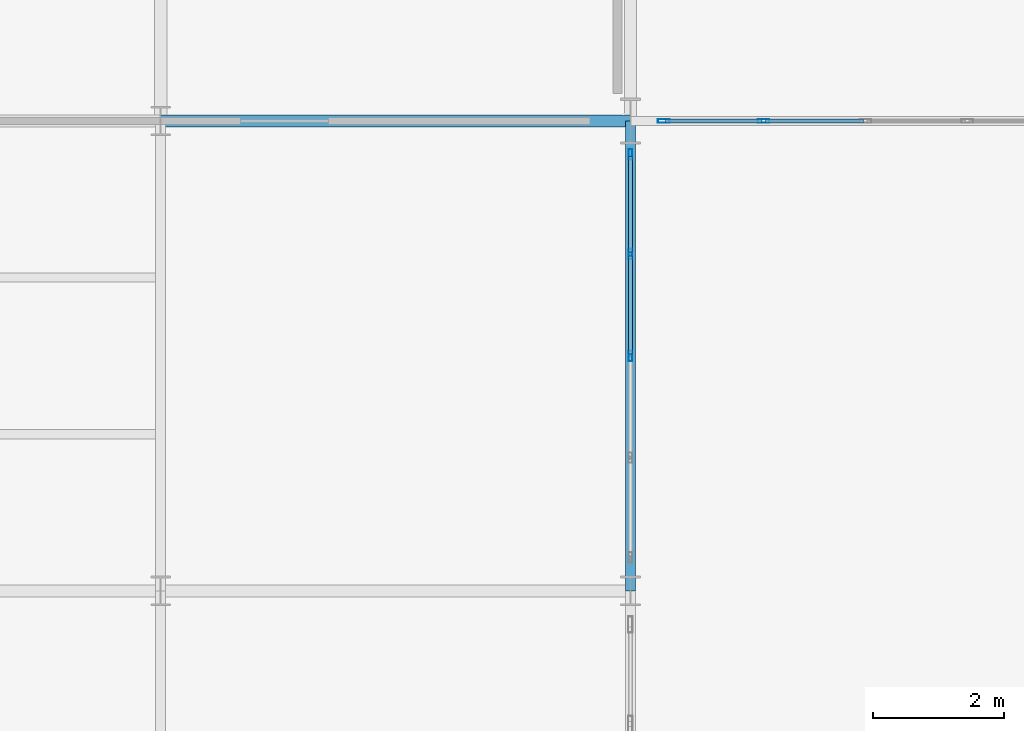
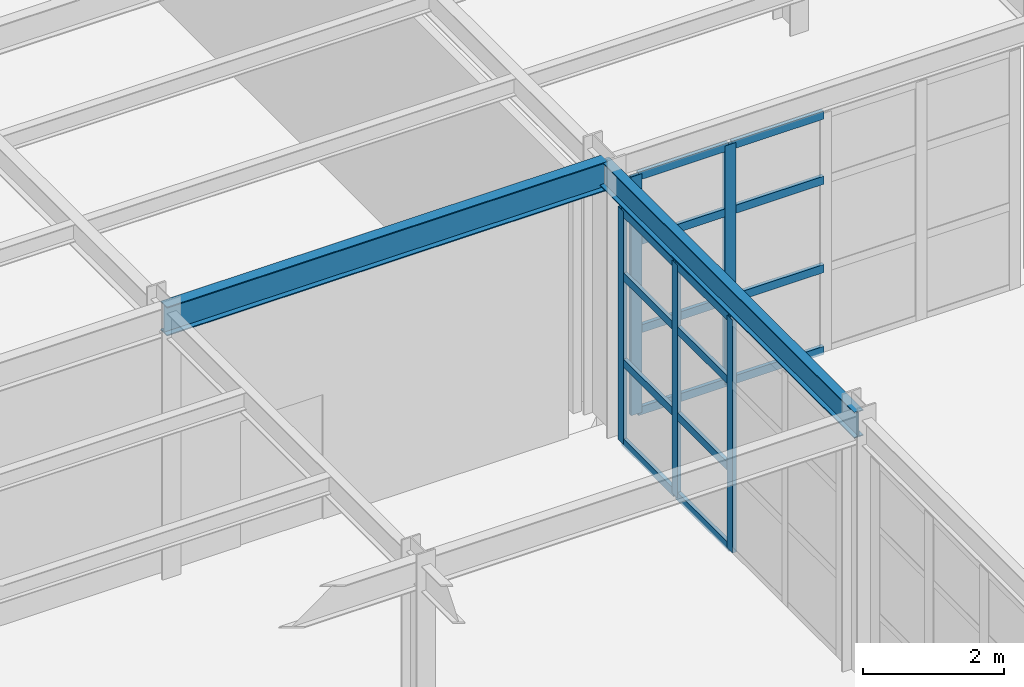
# One storey, part 23 of 83: 21 members, 2 beams, 2 elements without a shape of their own.
"""IFC4 building model written with IfcOpenShell, lengths in metres."""

from ifc_helpers import new_model, si_unit, direction, frame, origin, origin_2d, place, context, subcontext, project, spatial, hollow_rectangle, i_section, extrude, material, layer, layer_set, material_profile, profile_set, type_object, element, aggregate, save


model = new_model("IFC4")

# Units and contexts
model_context = context("Model", 3, precision=1e-05, world=origin(), true_north=direction((0.0, 1.0)))
body_context = subcontext(model_context, "Body", "Model", "MODEL_VIEW")
ifc_project = project(units=[si_unit("LENGTHUNIT", "METRE"), si_unit("AREAUNIT", "SQUARE_METRE"), si_unit("VOLUMEUNIT", "CUBIC_METRE"), si_unit("PLANEANGLEUNIT", "RADIAN"), si_unit("MASSUNIT", "GRAM", prefix="KILO")], contexts=[model_context])

# Site, building, storey
site_placement = place(None, origin())
site = spatial("IfcSite", under=ifc_project, at=site_placement, CompositionType="ELEMENT")
building_placement = place(site_placement, origin())
building = spatial("IfcBuilding", under=site, at=building_placement, Name="Solvadek Multi-Sports Hall", CompositionType="ELEMENT")
storey_placement = place(building_placement, origin())
storey = spatial("IfcBuildingStorey", under=building, at=storey_placement, Name="L00", CompositionType="ELEMENT", Elevation=0.0)

# Curtain wall, members
ifc_material_1 = material(Name="Anodised aluminium", Category="aluminium")
ifc_layer_1 = layer(ifc_material_1, 0.159912109375, Name="Anodised aluminium")
ifc_layer_set_1 = layer_set([ifc_layer_1], Name="Anodised aluminium")
curtain_wall_type_1 = type_object("IfcCurtainWallType", Name="ENV-CW-624X403", PredefinedType="USERDEFINED", material=ifc_layer_set_1)
curtain_wall_1_placement = place(storey_placement, origin())
curtain_wall_1 = element("IfcCurtainWall", 1, at=curtain_wall_1_placement, inside=storey, type_object=curtain_wall_type_1, Name="L00 Perimeter Bay Curtain Wall #197", ObjectType="CURTAIN WALL", PredefinedType="USERDEFINED")
ifc_material_profile_1 = material_profile(ifc_material_1, hollow_rectangle(XDim=0.06005859375, YDim=0.159912109375, WallThickness=0.00390625, at=origin_2d()), Name="ALU-M 160x60x4")
ifc_profile_set_1 = profile_set([ifc_material_profile_1], Name="Anodised aluminium")
member_type_1 = type_object("IfcMemberType", Name="ENV-CWM-01", PredefinedType="MULLION", material=ifc_profile_set_1)
member_1_placement = place(storey_placement, frame((21.60009765625, 45.60009765625, 0.0), z_axis=(0.0, 0.0, 1.0), x_axis=(-1.0, 0.0, 0.0)))
member_1 = element("IfcMember", 2, at=member_1_placement, type_object=member_type_1, Name="CW-43 mullion 3", PredefinedType="MULLION", context=body_context, shape_type="SweptSolid", body=[
    extrude(hollow_rectangle(XDim=0.06005859375, YDim=0.159912109375, WallThickness=0.00390625, at=origin_2d()), origin(), (0.0, 0.0, 1.0), 4.02490234375),
])
member_2_placement = place(storey_placement, frame((21.60009765625, 47.159912109375, 0.0), z_axis=(0.0, 0.0, 1.0), x_axis=(-1.0, 0.0, 0.0)))
member_2 = element("IfcMember", 3, at=member_2_placement, type_object=member_type_1, Name="CW-43 mullion 4", PredefinedType="MULLION", context=body_context, shape_type="SweptSolid", body=[
    extrude(hollow_rectangle(XDim=0.06005859375, YDim=0.159912109375, WallThickness=0.00390625, at=origin_2d()), origin(), (0.0, 0.0, 1.0), 4.02490234375),
])
member_3_placement = place(storey_placement, frame((21.60009765625, 48.68994140625, 0.0), z_axis=(0.0, 0.0, 1.0), x_axis=(-1.0, 0.0, 0.0)))
member_3 = element("IfcMember", 4, at=member_3_placement, type_object=member_type_1, Name="CW-43 mullion 5", PredefinedType="MULLION", context=body_context, shape_type="SweptSolid", body=[
    extrude(hollow_rectangle(XDim=0.06005859375, YDim=0.159912109375, WallThickness=0.00390625, at=origin_2d()), origin(), (0.0, 0.0, 1.0), 4.02490234375),
])

ifc_layer_2 = layer(ifc_material_1, 0.159912109375, Name="Anodised aluminium")
ifc_layer_set_2 = layer_set([ifc_layer_2], Name="Anodised aluminium")
curtain_wall_type_2 = type_object("IfcCurtainWallType", Name="ENV-CW-624X412", PredefinedType="USERDEFINED", material=ifc_layer_set_2)
curtain_wall_2_placement = place(storey_placement, origin())
curtain_wall_2 = element("IfcCurtainWall", 5, at=curtain_wall_2_placement, inside=storey, type_object=curtain_wall_type_2, Name="L00 Perimeter Bay Curtain Wall #155", ObjectType="CURTAIN WALL", PredefinedType="USERDEFINED")
ifc_material_profile_2 = material_profile(ifc_material_1, hollow_rectangle(XDim=0.06005859375, YDim=0.179931640625, WallThickness=0.00390625, at=origin_2d()), Name="ALU-M 180x60x4")
ifc_profile_set_2 = profile_set([ifc_material_profile_2], Name="Anodised aluminium")
member_type_2 = type_object("IfcMemberType", Name="ENV-CWM-02", PredefinedType="MULLION", material=ifc_profile_set_2)
member_4_placement = place(storey_placement, frame((22.110107421875, 49.199951171875, 0.0), z_axis=(0.0, 0.0, 1.0), x_axis=(0.0, 1.0, 0.0)))
member_4 = element("IfcMember", 6, at=member_4_placement, type_object=member_type_2, Name="CW-38 mullion 1", PredefinedType="MULLION", context=body_context, shape_type="SweptSolid", body=[
    extrude(hollow_rectangle(XDim=0.06005859375, YDim=0.179931640625, WallThickness=0.00390625, at=origin_2d()), origin(), (0.0, 0.0, 1.0), 4.125),
])
member_5_placement = place(storey_placement, frame((23.639892578125, 49.199951171875, 0.0), z_axis=(0.0, 0.0, 1.0), x_axis=(0.0, 1.0, 0.0)))
member_5 = element("IfcMember", 7, at=member_5_placement, type_object=member_type_2, Name="CW-38 mullion 2", PredefinedType="MULLION", context=body_context, shape_type="SweptSolid", body=[
    extrude(hollow_rectangle(XDim=0.06005859375, YDim=0.179931640625, WallThickness=0.00390625, at=origin_2d()), origin(), (0.0, 0.0, 1.0), 4.125),
])
ifc_material_profile_3 = material_profile(ifc_material_1, hollow_rectangle(XDim=0.06005859375, YDim=0.139892578125, WallThickness=0.00390625, at=origin_2d()), Name="ALU-T 140x60x4")
ifc_profile_set_3 = profile_set([ifc_material_profile_3], Name="Anodised aluminium")
member_type_3 = type_object("IfcMemberType", Name="ENV-CWT-02", PredefinedType="USERDEFINED", material=ifc_profile_set_3)
member_6_placement = place(storey_placement, frame((22.139892578125, 49.199951171875, 0.030029296875), z_axis=(1.0, 0.0, 0.0), x_axis=(0.0, 1.0, 0.0)))
member_6 = element("IfcMember", 8, at=member_6_placement, type_object=member_type_3, Name="CW-38 transom 1.1", ObjectType="TRANSOM", PredefinedType="USERDEFINED", context=body_context, shape_type="SweptSolid", body=[
    extrude(hollow_rectangle(XDim=0.06005859375, YDim=0.139892578125, WallThickness=0.00390625, at=origin_2d()), origin(), (0.0, 0.0, 1.0), 1.47021484375),
])
member_7_placement = place(storey_placement, frame((22.139892578125, 49.199951171875, 1.444091796875), z_axis=(1.0, 0.0, 0.0), x_axis=(0.0, 1.0, 0.0)))
member_7 = element("IfcMember", 9, at=member_7_placement, type_object=member_type_3, Name="CW-38 transom 1.2", ObjectType="TRANSOM", PredefinedType="USERDEFINED", context=body_context, shape_type="SweptSolid", body=[
    extrude(hollow_rectangle(XDim=0.06005859375, YDim=0.139892578125, WallThickness=0.00390625, at=origin_2d()), origin(), (0.0, 0.0, 1.0), 1.47021484375),
])
member_8_placement = place(storey_placement, frame((22.139892578125, 49.199951171875, 2.969970703125), z_axis=(1.0, 0.0, 0.0), x_axis=(0.0, 1.0, 0.0)))
member_8 = element("IfcMember", 10, at=member_8_placement, type_object=member_type_3, Name="CW-38 transom 1.3", ObjectType="TRANSOM", PredefinedType="USERDEFINED", context=body_context, shape_type="SweptSolid", body=[
    extrude(hollow_rectangle(XDim=0.06005859375, YDim=0.139892578125, WallThickness=0.00390625, at=origin_2d()), origin(), (0.0, 0.0, 1.0), 1.47021484375),
])
member_9_placement = place(storey_placement, frame((22.139892578125, 49.199951171875, 4.094970703125), z_axis=(1.0, 0.0, 0.0), x_axis=(0.0, 1.0, 0.0)))
member_9 = element("IfcMember", 11, at=member_9_placement, type_object=member_type_3, Name="CW-38 transom 1.4", ObjectType="TRANSOM", PredefinedType="USERDEFINED", context=body_context, shape_type="SweptSolid", body=[
    extrude(hollow_rectangle(XDim=0.06005859375, YDim=0.139892578125, WallThickness=0.00390625, at=origin_2d()), origin(), (0.0, 0.0, 1.0), 1.47021484375),
])
member_10_placement = place(storey_placement, frame((23.669921875, 49.199951171875, 0.030029296875), z_axis=(1.0, 0.0, 0.0), x_axis=(0.0, 1.0, 0.0)))
member_10 = element("IfcMember", 12, at=member_10_placement, type_object=member_type_3, Name="CW-38 transom 2.1", ObjectType="TRANSOM", PredefinedType="USERDEFINED", context=body_context, shape_type="SweptSolid", body=[
    extrude(hollow_rectangle(XDim=0.06005859375, YDim=0.139892578125, WallThickness=0.00390625, at=origin_2d()), origin(), (0.0, 0.0, 1.0), 1.5),
])
member_11_placement = place(storey_placement, frame((23.669921875, 49.199951171875, 1.444091796875), z_axis=(1.0, 0.0, 0.0), x_axis=(0.0, 1.0, 0.0)))
member_11 = element("IfcMember", 13, at=member_11_placement, type_object=member_type_3, Name="CW-38 transom 2.2", ObjectType="TRANSOM", PredefinedType="USERDEFINED", context=body_context, shape_type="SweptSolid", body=[
    extrude(hollow_rectangle(XDim=0.06005859375, YDim=0.139892578125, WallThickness=0.00390625, at=origin_2d()), origin(), (0.0, 0.0, 1.0), 1.5),
])
member_12_placement = place(storey_placement, frame((23.669921875, 49.199951171875, 2.969970703125), z_axis=(1.0, 0.0, 0.0), x_axis=(0.0, 1.0, 0.0)))
member_12 = element("IfcMember", 14, at=member_12_placement, type_object=member_type_3, Name="CW-38 transom 2.3", ObjectType="TRANSOM", PredefinedType="USERDEFINED", context=body_context, shape_type="SweptSolid", body=[
    extrude(hollow_rectangle(XDim=0.06005859375, YDim=0.139892578125, WallThickness=0.00390625, at=origin_2d()), origin(), (0.0, 0.0, 1.0), 1.5),
])
member_13_placement = place(storey_placement, frame((23.669921875, 49.199951171875, 4.094970703125), z_axis=(1.0, 0.0, 0.0), x_axis=(0.0, 1.0, 0.0)))
member_13 = element("IfcMember", 15, at=member_13_placement, type_object=member_type_3, Name="CW-38 transom 2.4", ObjectType="TRANSOM", PredefinedType="USERDEFINED", context=body_context, shape_type="SweptSolid", body=[
    extrude(hollow_rectangle(XDim=0.06005859375, YDim=0.139892578125, WallThickness=0.00390625, at=origin_2d()), origin(), (0.0, 0.0, 1.0), 1.5),
])
aggregate(curtain_wall_2, [member_4, member_5, member_6, member_7, member_8, member_9, member_10, member_11, member_12, member_13])

# Member
member_14_placement = place(storey_placement, frame((21.60009765625, 45.6298828125, 0.030029296875), z_axis=(0.0, 1.0, 0.0), x_axis=(-1.0, 0.0, 0.0)))
member_14 = element("IfcMember", 16, at=member_14_placement, type_object=member_type_3, Name="CW-43 transom 3.1", ObjectType="TRANSOM", PredefinedType="USERDEFINED", context=body_context, shape_type="SweptSolid", body=[
    extrude(hollow_rectangle(XDim=0.06005859375, YDim=0.139892578125, WallThickness=0.00390625, at=origin_2d()), origin(), (0.0, 0.0, 1.0), 1.5),
])

member_15_placement = place(storey_placement, frame((21.60009765625, 45.6298828125, 1.408935546875), z_axis=(0.0, 1.0, 0.0), x_axis=(-1.0, 0.0, 0.0)))
member_15 = element("IfcMember", 17, at=member_15_placement, type_object=member_type_3, Name="CW-43 transom 3.2", ObjectType="TRANSOM", PredefinedType="USERDEFINED", context=body_context, shape_type="SweptSolid", body=[
    extrude(hollow_rectangle(XDim=0.06005859375, YDim=0.139892578125, WallThickness=0.00390625, at=origin_2d()), origin(), (0.0, 0.0, 1.0), 1.5),
])

member_16_placement = place(storey_placement, frame((21.60009765625, 45.6298828125, 2.89794921875), z_axis=(0.0, 1.0, 0.0), x_axis=(-1.0, 0.0, 0.0)))
member_16 = element("IfcMember", 18, at=member_16_placement, type_object=member_type_3, Name="CW-43 transom 3.3", ObjectType="TRANSOM", PredefinedType="USERDEFINED", context=body_context, shape_type="SweptSolid", body=[
    extrude(hollow_rectangle(XDim=0.06005859375, YDim=0.139892578125, WallThickness=0.00390625, at=origin_2d()), origin(), (0.0, 0.0, 1.0), 1.5),
])

member_17_placement = place(storey_placement, frame((21.60009765625, 45.6298828125, 3.9951171875), z_axis=(0.0, 1.0, 0.0), x_axis=(-1.0, 0.0, 0.0)))
member_17 = element("IfcMember", 19, at=member_17_placement, type_object=member_type_3, Name="CW-43 transom 3.4", ObjectType="TRANSOM", PredefinedType="USERDEFINED", context=body_context, shape_type="SweptSolid", body=[
    extrude(hollow_rectangle(XDim=0.06005859375, YDim=0.139892578125, WallThickness=0.00390625, at=origin_2d()), origin(), (0.0, 0.0, 1.0), 1.5),
])

member_18_placement = place(storey_placement, frame((21.60009765625, 47.18994140625, 0.030029296875), z_axis=(0.0, 1.0, 0.0), x_axis=(-1.0, 0.0, 0.0)))
member_18 = element("IfcMember", 20, at=member_18_placement, type_object=member_type_3, Name="CW-43 transom 4.1", ObjectType="TRANSOM", PredefinedType="USERDEFINED", context=body_context, shape_type="SweptSolid", body=[
    extrude(hollow_rectangle(XDim=0.06005859375, YDim=0.139892578125, WallThickness=0.00390625, at=origin_2d()), origin(), (0.0, 0.0, 1.0), 1.469970703125),
])

member_19_placement = place(storey_placement, frame((21.60009765625, 47.18994140625, 1.408935546875), z_axis=(0.0, 1.0, 0.0), x_axis=(-1.0, 0.0, 0.0)))
member_19 = element("IfcMember", 21, at=member_19_placement, type_object=member_type_3, Name="CW-43 transom 4.2", ObjectType="TRANSOM", PredefinedType="USERDEFINED", context=body_context, shape_type="SweptSolid", body=[
    extrude(hollow_rectangle(XDim=0.06005859375, YDim=0.139892578125, WallThickness=0.00390625, at=origin_2d()), origin(), (0.0, 0.0, 1.0), 1.469970703125),
])

member_20_placement = place(storey_placement, frame((21.60009765625, 47.18994140625, 2.89794921875), z_axis=(0.0, 1.0, 0.0), x_axis=(-1.0, 0.0, 0.0)))
member_20 = element("IfcMember", 22, at=member_20_placement, type_object=member_type_3, Name="CW-43 transom 4.3", ObjectType="TRANSOM", PredefinedType="USERDEFINED", context=body_context, shape_type="SweptSolid", body=[
    extrude(hollow_rectangle(XDim=0.06005859375, YDim=0.139892578125, WallThickness=0.00390625, at=origin_2d()), origin(), (0.0, 0.0, 1.0), 1.469970703125),
])

member_21_placement = place(storey_placement, frame((21.60009765625, 47.18994140625, 3.9951171875), z_axis=(0.0, 1.0, 0.0), x_axis=(-1.0, 0.0, 0.0)))
member_21 = element("IfcMember", 23, at=member_21_placement, type_object=member_type_3, Name="CW-43 transom 4.4", ObjectType="TRANSOM", PredefinedType="USERDEFINED", context=body_context, shape_type="SweptSolid", body=[
    extrude(hollow_rectangle(XDim=0.06005859375, YDim=0.139892578125, WallThickness=0.00390625, at=origin_2d()), origin(), (0.0, 0.0, 1.0), 1.469970703125),
])

aggregate(curtain_wall_1, [member_1, member_2, member_3, member_14, member_15, member_16, member_17, member_18, member_19, member_20, member_21])

# Beams
ifc_material_2 = material(Name="Steel E350 (350 MPa)", Category="steel")
ifc_material_profile_4 = material_profile(ifc_material_2, i_section(OverallWidth=0.14990234375, OverallDepth=0.449951171875, WebThickness=0.009521484375, FlangeThickness=0.017333984375, at=origin_2d()), Name="ISMB 450")
ifc_profile_set_4 = profile_set([ifc_material_profile_4], Name="Steel E350 (350 MPa)")
beam_type_1 = type_object("IfcBeamType", Name="STR-BM-ISMB450", PredefinedType="BEAM", material=ifc_profile_set_4)
beam_1_placement = place(storey_placement, frame((21.60009765625, 42.0, 4.35498046875), z_axis=(0.0, 1.0, 0.0), x_axis=(-1.0, 0.0, 0.0)))
element("IfcBeam", 24, at=beam_1_placement, inside=storey, type_object=beam_type_1, Name="L00 Girder B-09 #766", PredefinedType="BEAM", context=body_context, shape_type="SweptSolid", body=[
    extrude(i_section(OverallWidth=0.14990234375, OverallDepth=0.449951171875, WebThickness=0.009521484375, FlangeThickness=0.017333984375, at=origin_2d()), origin(), (0.0, 0.0, 1.0), 7.199951171875),
])
ifc_material_profile_5 = material_profile(ifc_material_2, i_section(OverallWidth=0.179931640625, OverallDepth=0.5, WebThickness=0.01025390625, FlangeThickness=0.01708984375, at=origin_2d()), Name="ISMB 500")
ifc_profile_set_5 = profile_set([ifc_material_profile_5], Name="Steel E350 (350 MPa)")
beam_type_2 = type_object("IfcBeamType", Name="STR-BM-ISMB500", PredefinedType="BEAM", material=ifc_profile_set_5)
beam_2_placement = place(storey_placement, frame((14.39990234375, 49.199951171875, 4.330078125), z_axis=(1.0, 0.0, 0.0), x_axis=(0.0, 1.0, 0.0)))
element("IfcBeam", 25, at=beam_2_placement, inside=storey, type_object=beam_type_2, Name="L00 Girder B-07 #605", PredefinedType="BEAM", context=body_context, shape_type="SweptSolid", body=[
    extrude(i_section(OverallWidth=0.179931640625, OverallDepth=0.5, WebThickness=0.01025390625, FlangeThickness=0.01708984375, at=origin_2d()), origin(), (0.0, 0.0, 1.0), 7.2001953125),
])

save(model, "model.ifc")
